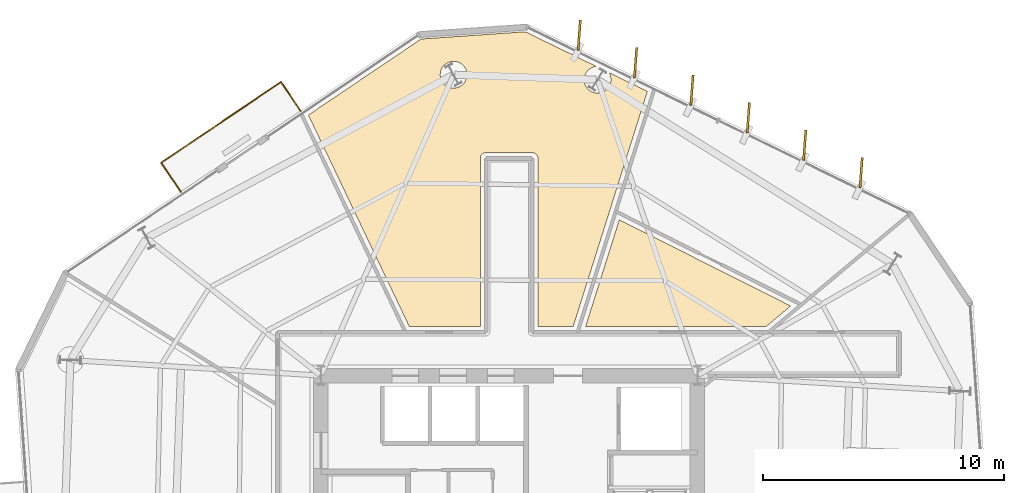
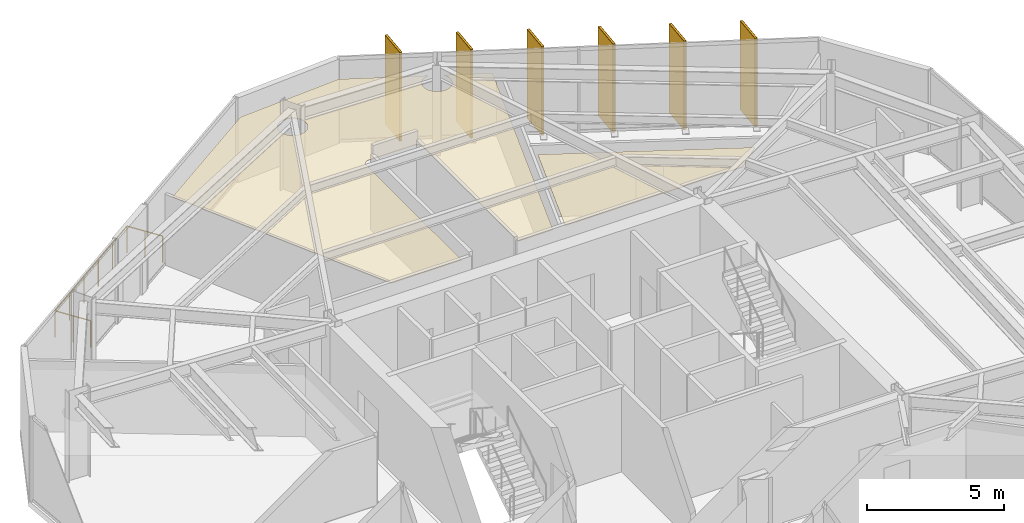
# One storey, part 14 of 14: 8 coverings, 6 shading devices, 1 railing.
"""IFC4 building model written with IfcOpenShell, lengths in metres."""

from ifc_helpers import new_model, si_unit, direction, frame, origin, origin_2d, place, context, subcontext, project, spatial, polyline, rectangle, circle, outline, extrude, material, layer, layer_set, type_object, element, save


model = new_model("IFC4")

# Units and contexts
model_context = context("Model", 3, precision=1e-05, world=origin(), true_north=direction((0.0, 1.0)))
body_context = subcontext(model_context, "Body", "Model", "MODEL_VIEW")
ifc_project = project(units=[si_unit("LENGTHUNIT", "METRE"), si_unit("AREAUNIT", "SQUARE_METRE"), si_unit("VOLUMEUNIT", "CUBIC_METRE"), si_unit("PLANEANGLEUNIT", "RADIAN"), si_unit("MASSUNIT", "GRAM", prefix="KILO")], contexts=[model_context])

# Site, building, storey
site_placement = place(None, origin())
site = spatial("IfcSite", under=ifc_project, at=site_placement, CompositionType="ELEMENT")
building_placement = place(site_placement, origin())
building = spatial("IfcBuilding", under=site, at=building_placement, Name="Kranzbogen Civic Tower", CompositionType="ELEMENT")
storey_placement = place(building_placement, frame((0.0, 0.0, 158.39990234375)))
storey = spatial("IfcBuildingStorey", under=building, at=storey_placement, Name="L38", CompositionType="ELEMENT", Elevation=158.39990234375)

# Coverings
ifc_material_1 = material(Name="Pale Anodised Aluminium", Category="aluminium")
ifc_layer_1 = layer(ifc_material_1, 0.02490234375, Name="Pale Anodised Aluminium")
ifc_layer_set_1 = layer_set([ifc_layer_1], Name="Pale Anodised Aluminium")
covering_type_1 = type_object("IfcCoveringType", Name="Anodised Aluminium Vertical Fin Cladding 25 mm", PredefinedType="CLADDING", material=ifc_layer_set_1)
for number, where, z_axis, x_axis, name in (
    (1, (39.591064453125, 40.614990234375, -0.139892578125), (0.0, 0.0, 1.0), (0.074996130979, 0.997183824748, 0.0), "L38 vertical fin pale-metal cladding F1-1"),
    (2, (37.25390625, 41.7548828125, -0.139892578125), (0.0, 0.0, 1.0), (0.074996130979, 0.997183824748, 0.0), "L38 vertical fin pale-metal cladding F1-2"),
    (3, (34.9169921875, 42.89404296875, -0.139892578125), (0.0, 0.0, 1.0), (0.074996130979, 0.997183824748, 0.0), "L38 vertical fin pale-metal cladding F1-3"),
    (4, (32.580078125, 44.033935546875, -0.139892578125), (0.0, 0.0, 1.0), (0.074996130979, 0.997183824748, 0.0), "L38 vertical fin pale-metal cladding F1-4"),
    (5, (30.242919921875, 45.174072265625, -0.139892578125), (0.0, 0.0, 1.0), (0.074996130979, 0.997183824748, 0.0), "L38 vertical fin pale-metal cladding F1-5"),
    (6, (27.906005859375, 46.31396484375, -0.139892578125), (0.0, 0.0, 1.0), (0.074996130979, 0.997183824748, 0.0), "L38 vertical fin pale-metal cladding F1-6"),
):
    element("IfcCovering", number, at=place(storey_placement, frame(where, z_axis=z_axis, x_axis=x_axis)), inside=storey, type_object=covering_type_1, Name=name, PredefinedType="CLADDING", context=body_context, shape_type="SweptSolid", body=[
        extrude(rectangle(XDim=1.25, YDim=0.10009765625, at=origin_2d()), origin(), (0.0, 0.0, 1.0), 3.9599609375),
    ])

# Shading devices
ifc_material_2 = material(Name="Anodised Bronze Aluminium", Category="aluminium")
shading_device_type = type_object("IfcShadingDeviceType", Name="Anodised Bronze Vertical Facade Fin 1250x80", PredefinedType="USERDEFINED", material=ifc_material_2)
for number, where, z_axis, x_axis, name in (
    (7, (39.591064453125, 40.614990234375, -0.139892578125), (0.0, 0.0, 1.0), (0.074996130979, 0.997183824748, 0.0), "L38 vertical exterior shading fin F1-1"),
    (8, (37.25390625, 41.7548828125, -0.139892578125), (0.0, 0.0, 1.0), (0.074996130979, 0.997183824748, 0.0), "L38 vertical exterior shading fin F1-2"),
    (9, (34.9169921875, 42.89404296875, -0.139892578125), (0.0, 0.0, 1.0), (0.074996130979, 0.997183824748, 0.0), "L38 vertical exterior shading fin F1-3"),
    (10, (32.580078125, 44.033935546875, -0.139892578125), (0.0, 0.0, 1.0), (0.074996130979, 0.997183824748, 0.0), "L38 vertical exterior shading fin F1-4"),
    (11, (30.242919921875, 45.174072265625, -0.139892578125), (0.0, 0.0, 1.0), (0.074996130979, 0.997183824748, 0.0), "L38 vertical exterior shading fin F1-5"),
    (12, (27.906005859375, 46.31396484375, -0.139892578125), (0.0, 0.0, 1.0), (0.074996130979, 0.997183824748, 0.0), "L38 vertical exterior shading fin F1-6"),
):
    element("IfcShadingDevice", number, at=place(storey_placement, frame(where, z_axis=z_axis, x_axis=x_axis)), inside=storey, type_object=shading_device_type, Name=name, ObjectType="FIN", PredefinedType="USERDEFINED", context=body_context, shape_type="SweptSolid", body=[
        extrude(rectangle(XDim=1.25, YDim=0.080078125, at=origin_2d()), origin(), (0.0, 0.0, 1.0), 3.9599609375),
    ])

# Railing
railing_type = type_object("IfcRailingType", Name="Cantilevered Balcony Glass and Bronze Balustrade 1200", PredefinedType="BALUSTRADE", material=ifc_material_2)
railing_placement = place(storey_placement, frame((16.35888671875, 43.175048828125, 0.0)))
element("IfcRailing", 13, at=railing_placement, inside=storey, type_object=railing_type, Name="L38 exterior terrace balustrade L38-TB2", PredefinedType="BALUSTRADE", context=body_context, shape_type="SweptSolid", body=[
    extrude(circle(Radius=0.02392578125, at=origin_2d()), frame((0.0, 0.0, 1.17578125), z_axis=(-0.559238569621, 0.829006768517, 0.0), x_axis=(-0.829006768517, -0.559238569621, 0.0)), (0.0, 0.0, 1.0), 1.44970703125),
    extrude(circle(Radius=0.02392578125, at=origin_2d()), frame((-0.810791015625, 1.201904296875, 1.17578125), z_axis=(-0.829045807101, -0.559180695061, 0.0), x_axis=(0.559180695061, -0.829045807101, 0.0)), (0.0, 0.0, 1.0), 5.999755859375),
    extrude(circle(Radius=0.02392578125, at=origin_2d()), frame((-5.784912109375, -2.153076171875, 1.17578125), z_axis=(0.559354282859, -0.828928697927, 0.0), x_axis=(0.828928697927, 0.559354282859, 0.0)), (0.0, 0.0, 1.0), 1.449951171875),
    extrude(circle(Radius=0.02099609375, at=origin_2d()), origin(), (0.0, 0.0, 1.0), 1.15185546875),
    extrude(circle(Radius=0.02099609375, at=origin_2d()), frame((-0.4052734375, 0.60107421875, 0.0)), (0.0, 0.0, 1.0), 1.15185546875),
    extrude(circle(Radius=0.02099609375, at=origin_2d()), frame((-0.810791015625, 1.201904296875, 0.0)), (0.0, 0.0, 1.0), 1.15185546875),
    extrude(circle(Radius=0.02099609375, at=origin_2d()), frame((-1.8056640625, 0.531005859375, 0.0)), (0.0, 0.0, 1.0), 1.15185546875),
    extrude(circle(Radius=0.02099609375, at=origin_2d()), frame((-2.800537109375, -0.14013671875, 0.0)), (0.0, 0.0, 1.0), 1.15185546875),
    extrude(circle(Radius=0.02099609375, at=origin_2d()), frame((-3.795166015625, -0.81103515625, 0.0)), (0.0, 0.0, 1.0), 1.15185546875),
    extrude(circle(Radius=0.02099609375, at=origin_2d()), frame((-4.7900390625, -1.482177734375, 0.0)), (0.0, 0.0, 1.0), 1.15185546875),
    extrude(circle(Radius=0.02099609375, at=origin_2d()), frame((-5.784912109375, -2.153076171875, 0.0)), (0.0, 0.0, 1.0), 1.15185546875),
    extrude(circle(Radius=0.02099609375, at=origin_2d()), frame((-5.37939453125, -2.75390625, 0.0)), (0.0, 0.0, 1.0), 1.15185546875),
    extrude(circle(Radius=0.02099609375, at=origin_2d()), frame((-4.973876953125, -3.35498046875, 0.0)), (0.0, 0.0, 1.0), 1.15185546875),
])

# Coverings
ifc_material_3 = material(Name="Perforated Acoustic Gypsum Ceiling")
ifc_layer_2 = layer(ifc_material_3, 0.02490234375, Name="Perforated Acoustic Gypsum Ceiling")
ifc_layer_set_2 = layer_set([ifc_layer_2], Name="Perforated Acoustic Gypsum Ceiling")
covering_type_2 = type_object("IfcCoveringType", Name="Perforated Acoustic Mineral Ceiling Tile 25 mm", PredefinedType="CEILING", material=ifc_layer_set_2)
covering_1_placement = place(storey_placement, frame((0.0, 0.0, 2.900146484375)))
element("IfcCovering", 14, at=covering_1_placement, inside=storey, type_object=covering_type_2, Name="L38 Municipal Exhibition Showroom acoustic ceiling", PredefinedType="CEILING", context=body_context, shape_type="SweptSolid", body=[
    extrude(outline(polyline([(28.174072265625, 34.2451171875), (29.56689453125, 38.658935546875), (36.6708984375, 35.0869140625), (35.666015625, 34.2451171875), (28.174072265625, 34.2451171875)])), origin(), (0.0, 0.0, 1.0), 0.02490234375),
])
covering_2_placement = place(storey_placement, frame((0.0, 0.0, 2.900146484375)))
element("IfcCovering", 15, at=covering_2_placement, inside=storey, type_object=covering_type_2, Name="L38 Civic Reference Library acoustic ceiling", PredefinedType="CEILING", context=body_context, shape_type="SweptSolid", body=[
    extrude(outline(polyline([(25.66796875, 46.4541015625), (28.615966796875, 45.01611328125), (28.614013671875, 45.01611328125), (28.56005859375, 45.008056640625), (28.507080078125, 44.993896484375), (28.4560546875, 44.97607421875), (28.406982421875, 44.952880859375), (28.360107421875, 44.925048828125), (28.31591796875, 44.89306640625), (28.27587890625, 44.85595703125), (28.239013671875, 44.81591796875), (28.20703125, 44.77197265625), (28.178955078125, 44.72509765625), (28.156005859375, 44.676025390625), (28.137939453125, 44.625), (28.1240234375, 44.572021484375), (28.115966796875, 44.51806640625), (28.114013671875, 44.464111328125), (28.115966796875, 44.409912109375), (28.1240234375, 44.35595703125), (28.137939453125, 44.302978515625), (28.156005859375, 44.251953125), (28.178955078125, 44.202880859375), (28.20703125, 44.156005859375), (28.239013671875, 44.112060546875), (28.27587890625, 44.072021484375), (28.31591796875, 44.034912109375), (28.360107421875, 44.0029296875), (28.406982421875, 43.97509765625), (28.4560546875, 43.951904296875), (28.507080078125, 43.93408203125), (28.56005859375, 43.919921875), (28.614013671875, 43.912109375), (28.66796875, 43.909912109375), (28.721923828125, 43.912109375), (28.77587890625, 43.919921875), (28.8291015625, 43.93408203125), (28.8798828125, 43.951904296875), (28.928955078125, 43.97509765625), (28.97607421875, 44.0029296875), (29.02001953125, 44.034912109375), (29.06005859375, 44.072021484375), (29.096923828125, 44.112060546875), (29.12890625, 44.156005859375), (29.156982421875, 44.202880859375), (29.179931640625, 44.251953125), (29.197998046875, 44.302978515625), (29.2119140625, 44.35595703125), (29.219970703125, 44.409912109375), (29.221923828125, 44.464111328125), (29.219970703125, 44.51806640625), (29.2119140625, 44.572021484375), (29.197998046875, 44.625), (29.179931640625, 44.676025390625), (29.156982421875, 44.72509765625), (29.134033203125, 44.762939453125), (30.73291015625, 43.98291015625), (27.659912109375, 34.2451171875), (26.195068359375, 34.2451171875), (26.195068359375, 41.199951171875), (26.195068359375, 41.208984375), (26.194091796875, 41.215087890625), (26.193115234375, 41.23291015625), (26.19189453125, 41.239013671875), (26.18798828125, 41.256103515625), (26.18701171875, 41.262939453125), (26.181884765625, 41.280029296875), (26.179931640625, 41.285888671875), (26.173095703125, 41.302001953125), (26.169921875, 41.30810546875), (26.162109375, 41.322998046875), (26.157958984375, 41.3291015625), (26.14892578125, 41.343017578125), (26.14501953125, 41.347900390625), (26.134033203125, 41.362060546875), (26.12890625, 41.366943359375), (26.116943359375, 41.37890625), (26.112060546875, 41.384033203125), (26.097900390625, 41.39501953125), (26.093017578125, 41.39892578125), (26.0791015625, 41.407958984375), (26.072998046875, 41.412109375), (26.05810546875, 41.419921875), (26.052001953125, 41.423095703125), (26.035888671875, 41.429931640625), (26.030029296875, 41.431884765625), (26.012939453125, 41.43701171875), (26.006103515625, 41.43798828125), (25.989013671875, 41.44189453125), (25.98291015625, 41.443115234375), (25.965087890625, 41.444091796875), (25.958984375, 41.445068359375), (25.949951171875, 41.445068359375), (24.050048828125, 41.445068359375), (24.041015625, 41.445068359375), (24.034912109375, 41.444091796875), (24.01708984375, 41.443115234375), (24.010986328125, 41.44189453125), (23.993896484375, 41.43798828125), (23.987060546875, 41.43701171875), (23.969970703125, 41.431884765625), (23.964111328125, 41.429931640625), (23.947998046875, 41.423095703125), (23.94189453125, 41.419921875), (23.927001953125, 41.412109375), (23.9208984375, 41.407958984375), (23.906982421875, 41.39892578125), (23.902099609375, 41.39501953125), (23.887939453125, 41.384033203125), (23.883056640625, 41.37890625), (23.87109375, 41.366943359375), (23.865966796875, 41.362060546875), (23.85498046875, 41.347900390625), (23.85107421875, 41.343017578125), (23.842041015625, 41.3291015625), (23.837890625, 41.322998046875), (23.830078125, 41.30810546875), (23.826904296875, 41.302001953125), (23.820068359375, 41.285888671875), (23.818115234375, 41.280029296875), (23.81298828125, 41.262939453125), (23.81201171875, 41.256103515625), (23.80810546875, 41.239013671875), (23.806884765625, 41.23291015625), (23.805908203125, 41.215087890625), (23.804931640625, 41.208984375), (23.804931640625, 41.199951171875), (23.804931640625, 34.2451171875), (20.85888671875, 34.2451171875), (16.680908203125, 43.0009765625), (21.35302734375, 46.152099609375), (25.66796875, 46.4541015625)]), holes=[polyline([(23.2109375, 44.4599609375), (23.18798828125, 44.410888671875), (23.159912109375, 44.364013671875), (23.1279296875, 44.320068359375), (23.091064453125, 44.280029296875), (23.051025390625, 44.242919921875), (23.007080078125, 44.2109375), (22.9599609375, 44.18310546875), (22.910888671875, 44.159912109375), (22.860107421875, 44.14208984375), (22.806884765625, 44.1279296875), (22.7529296875, 44.1201171875), (22.698974609375, 44.117919921875), (22.64501953125, 44.1201171875), (22.591064453125, 44.1279296875), (22.5380859375, 44.14208984375), (22.487060546875, 44.159912109375), (22.43798828125, 44.18310546875), (22.39111328125, 44.2109375), (22.346923828125, 44.242919921875), (22.306884765625, 44.280029296875), (22.27001953125, 44.320068359375), (22.238037109375, 44.364013671875), (22.2099609375, 44.410888671875), (22.18701171875, 44.4599609375), (22.1689453125, 44.510986328125), (22.155029296875, 44.56396484375), (22.14697265625, 44.617919921875), (22.14501953125, 44.672119140625), (22.14697265625, 44.72607421875), (22.155029296875, 44.780029296875), (22.1689453125, 44.8330078125), (22.18701171875, 44.884033203125), (22.2099609375, 44.93310546875), (22.238037109375, 44.97998046875), (22.27001953125, 45.02392578125), (22.306884765625, 45.06396484375), (22.346923828125, 45.10107421875), (22.39111328125, 45.133056640625), (22.43798828125, 45.160888671875), (22.487060546875, 45.18408203125), (22.5380859375, 45.201904296875), (22.591064453125, 45.216064453125), (22.64501953125, 45.22412109375), (22.698974609375, 45.22607421875), (22.7529296875, 45.22412109375), (22.806884765625, 45.216064453125), (22.860107421875, 45.201904296875), (22.910888671875, 45.18408203125), (22.9599609375, 45.160888671875), (23.007080078125, 45.133056640625), (23.051025390625, 45.10107421875), (23.091064453125, 45.06396484375), (23.1279296875, 45.02392578125), (23.159912109375, 44.97998046875), (23.18798828125, 44.93310546875), (23.2109375, 44.884033203125), (23.22900390625, 44.8330078125), (23.242919921875, 44.780029296875), (23.2509765625, 44.72607421875), (23.2529296875, 44.672119140625), (23.2509765625, 44.617919921875), (23.242919921875, 44.56396484375), (23.22900390625, 44.510986328125), (23.2109375, 44.4599609375)])]), origin(), (0.0, 0.0, 1.0), 0.02490234375),
])

save(model, "model.ifc")
